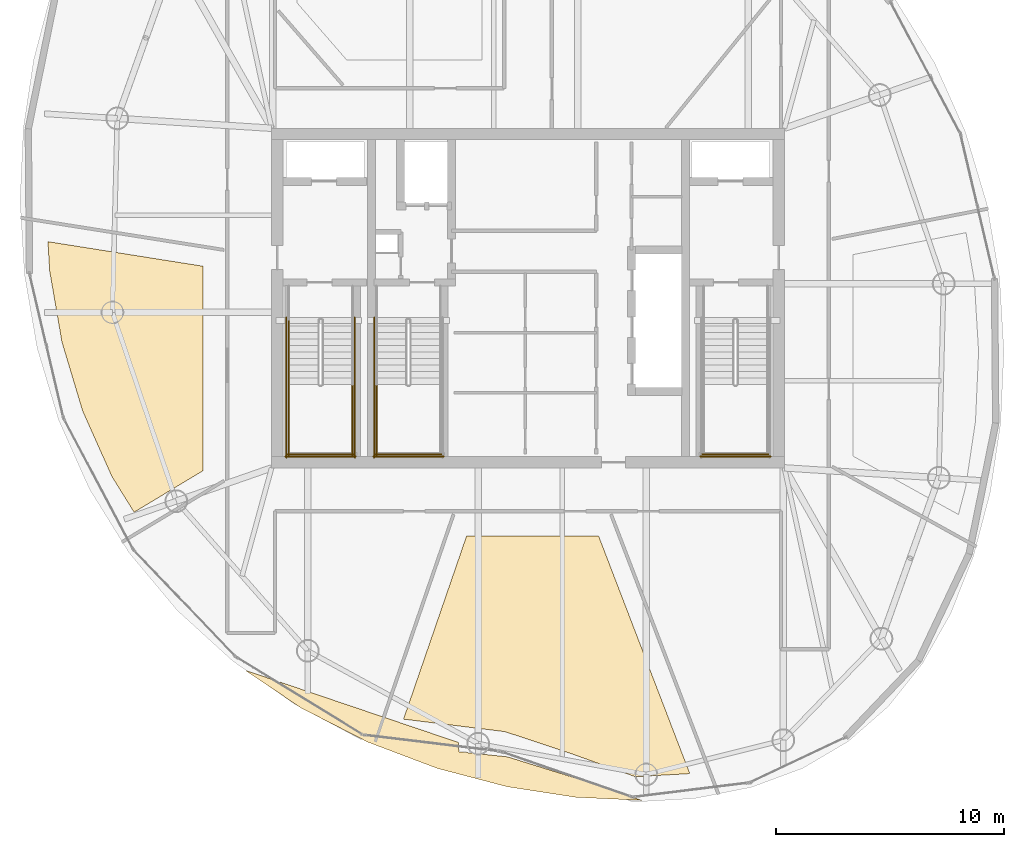
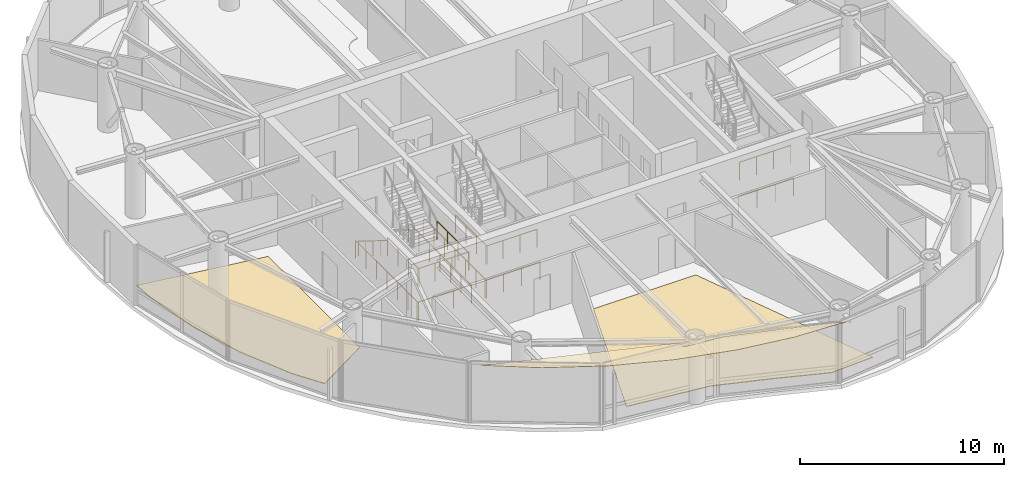
# One storey, part 19 of 21: 13 railings, 3 coverings.
"""IFC4 building model written with IfcOpenShell, lengths in metres."""

from ifc_helpers import new_model, si_unit, direction, frame, origin, origin_2d, place, context, subcontext, project, spatial, polyline, circle, outline, extrude, material, layer, layer_set, type_object, element, save


model = new_model("IFC4")

# Units and contexts
model_context = context("Model", 3, precision=1e-05, world=origin(), true_north=direction((0.0, 1.0)))
body_context = subcontext(model_context, "Body", "Model", "MODEL_VIEW")
ifc_project = project(units=[si_unit("LENGTHUNIT", "METRE"), si_unit("AREAUNIT", "SQUARE_METRE"), si_unit("VOLUMEUNIT", "CUBIC_METRE"), si_unit("PLANEANGLEUNIT", "RADIAN"), si_unit("MASSUNIT", "GRAM", prefix="KILO")], contexts=[model_context])

# Site, building, storey
site_placement = place(None, origin())
site = spatial("IfcSite", under=ifc_project, at=site_placement, CompositionType="ELEMENT")
building_placement = place(site_placement, origin())
building = spatial("IfcBuilding", under=site, at=building_placement, Name="Bramvorn Convention Spire", CompositionType="ELEMENT")
storey_placement = place(building_placement, frame((0.0, 0.0, 249.75)))
storey = spatial("IfcBuildingStorey", under=building, at=storey_placement, Name="L63", CompositionType="ELEMENT", Elevation=249.75)

# Coverings
ifc_material_1 = material(Name="Champagne Bronze Aluminium Composite Soffit", Category="aluminium")
ifc_layer_1 = layer(ifc_material_1, 0.02490234375)
ifc_layer_set_1 = layer_set([ifc_layer_1], Name="Champagne Bronze Aluminium Composite Soffit - COV-CLAD-SOFFIT-25")
covering_type_1 = type_object("IfcCoveringType", Name="COV-CLAD-SOFFIT-25", PredefinedType="CLADDING", material=ifc_layer_set_1)
covering_1_placement = place(storey_placement, frame((0.0, 0.0, 3.60009765625)))
element("IfcCovering", 1, at=covering_1_placement, inside=storey, type_object=covering_type_1, Name="L62 double-height Sky Garden bronze soffit", PredefinedType="CLADDING", context=body_context, shape_type="SweptSolid", body=[
    extrude(outline(polyline([(37.083984375, 4.56005859375), (40.091796875, 4.095703125), (42.974609375, 3.965087890625), (39.98388671875, 4.97265625), (37.095703125, 5.87158203125), (34.96240234375, 6.093505859375), (34.95556640625, 6.5), (25.5927734375, 9.668212890625), (28.05078125, 8.01220703125), (30.98193359375, 6.512939453125), (34.02099609375, 5.363525390625), (37.083984375, 4.56005859375)])), origin(), (0.0, 0.0, 1.0), 0.02490234375),
])
ifc_material_2 = material(Name="Calcium-Sulphate Raised Access Office Floor", Category="steel")
ifc_layer_2 = layer(ifc_material_2, 0.044921875)
ifc_layer_set_2 = layer_set([ifc_layer_2], Name="Calcium-Sulphate Raised Access Office Floor - FLR-RAISED-45")
covering_type_2 = type_object("IfcCoveringType", Name="FLR-RAISED-45", PredefinedType="FLOORING", material=ifc_layer_set_2)
covering_2_placement = place(storey_placement, origin())
element("IfcCovering", 2, at=covering_2_placement, inside=storey, type_object=covering_type_2, Name="L63 Open-Plan Team Office 6 raised floor finish", PredefinedType="FLOORING", context=body_context, shape_type="SweptSolid", body=[
    extrude(outline(polyline([(19.746337890625, 18.16357421875), (20.715087890625, 16.605712890625), (23.75, 18.429443359375), (23.75, 27.396484375), (16.93505859375, 28.475830078125), (17.0126953125, 27.18798828125), (17.55078125, 24.075927734375), (18.458984375, 21.04443359375), (19.746337890625, 18.16357421875)])), origin(), (0.0, 0.0, 1.0), 0.044921875),
])
covering_3_placement = place(storey_placement, origin())
element("IfcCovering", 3, at=covering_3_placement, inside=storey, type_object=covering_type_2, Name="L63 Records Store 8 raised floor finish", PredefinedType="FLOORING", context=body_context, shape_type="SweptSolid", body=[
    extrude(outline(polyline([(45.09912109375, 5.134521484375), (41.100830078125, 15.550048828125), (35.30078125, 15.550048828125), (32.537353515625, 7.5244140625), (36.989501953125, 6.975341796875), (39.907470703125, 6.00732421875), (42.703125, 4.999755859375), (45.09912109375, 5.134521484375)])), origin(), (0.0, 0.0, 1.0), 0.044921875),
])

# Railings
ifc_material_3 = material(Name="Painted Steel Balustrade & Guardrail", Category="steel")
railing_type_1 = type_object("IfcRailingType", Name="RL-STAIR-GUARD-1100", PredefinedType="GUARDRAIL", material=ifc_material_3)
for number, where, name in (
    (4, (27.5, 22.199951171875, 1.925048828125), "L63 ST1 stair guard 3"),
    (5, (30.300048828125, 22.199951171875, 1.925048828125), "L63 ST1 stair guard 4"),
):
    element("IfcRailing", number, at=place(storey_placement, frame(where)), inside=storey, type_object=railing_type_1, Name=name, PredefinedType="GUARDRAIL", context=body_context, shape_type="SweptSolid", body=[
        extrude(circle(Radius=0.02392578125, at=origin_2d()), frame((0.0, 0.0, 1.076171875), z_axis=(0.0, -1.0, 0.0), x_axis=(1.0, 0.0, 0.0)), (0.0, 0.0, 1.0), 3.099853515625),
        extrude(circle(Radius=0.02099609375, at=origin_2d()), origin(), (0.0, 0.0, 1.0), 1.052001953125),
        extrude(circle(Radius=0.02099609375, at=origin_2d()), frame((0.0, -1.033203125, 0.0)), (0.0, 0.0, 1.0), 1.052001953125),
        extrude(circle(Radius=0.02099609375, at=origin_2d()), frame((0.0, -2.066650390625, 0.0)), (0.0, 0.0, 1.0), 1.052001953125),
        extrude(circle(Radius=0.02099609375, at=origin_2d()), frame((0.0, -3.099853515625, 0.0)), (0.0, 0.0, 1.0), 1.052001953125),
    ])
railing_1_placement = place(storey_placement, frame((27.449951171875, 19.14990234375, 1.925048828125)))
element("IfcRailing", 6, at=railing_1_placement, inside=storey, type_object=railing_type_1, Name="L63 ST1 stair guard 5", PredefinedType="GUARDRAIL", context=body_context, shape_type="SweptSolid", body=[
    extrude(circle(Radius=0.02392578125, at=origin_2d()), frame((0.0, 0.0, 1.076171875), z_axis=(1.0, 0.0, 0.0), x_axis=(0.0, 1.0, 0.0)), (0.0, 0.0, 1.0), 2.900146484375),
    extrude(circle(Radius=0.02099609375, at=origin_2d()), origin(), (0.0, 0.0, 1.0), 1.052001953125),
    extrude(circle(Radius=0.02099609375, at=origin_2d()), frame((0.966796875, 0.0, 0.0)), (0.0, 0.0, 1.0), 1.052001953125),
    extrude(circle(Radius=0.02099609375, at=origin_2d()), frame((1.933349609375, 0.0, 0.0)), (0.0, 0.0, 1.0), 1.052001953125),
    extrude(circle(Radius=0.02099609375, at=origin_2d()), frame((2.900146484375, 0.0, 0.0)), (0.0, 0.0, 1.0), 1.052001953125),
])
for number, where, name in (
    (7, (27.39990234375, 25.14990234375, 0.0), "L63 ST1 stair guard 10"),
    (8, (30.39990234375, 25.14990234375, 0.0), "L63 ST1 stair guard 11"),
):
    element("IfcRailing", number, at=place(storey_placement, frame(where)), inside=storey, type_object=railing_type_1, Name=name, PredefinedType="GUARDRAIL", context=body_context, shape_type="SweptSolid", body=[
        extrude(circle(Radius=0.02392578125, at=origin_2d()), frame((0.0, 0.0, 1.076171875), z_axis=(0.0, -1.0, 0.0), x_axis=(1.0, 0.0, 0.0)), (0.0, 0.0, 1.0), 6.14990234375),
        extrude(circle(Radius=0.02099609375, at=origin_2d()), origin(), (0.0, 0.0, 1.0), 1.052001953125),
        extrude(circle(Radius=0.02099609375, at=origin_2d()), frame((0.0, -1.02490234375, 0.0)), (0.0, 0.0, 1.0), 1.052001953125),
        extrude(circle(Radius=0.02099609375, at=origin_2d()), frame((0.0, -2.050048828125, 0.0)), (0.0, 0.0, 1.0), 1.052001953125),
        extrude(circle(Radius=0.02099609375, at=origin_2d()), frame((0.0, -3.074951171875, 0.0)), (0.0, 0.0, 1.0), 1.052001953125),
        extrude(circle(Radius=0.02099609375, at=origin_2d()), frame((0.0, -4.099853515625, 0.0)), (0.0, 0.0, 1.0), 1.052001953125),
        extrude(circle(Radius=0.02099609375, at=origin_2d()), frame((0.0, -5.125, 0.0)), (0.0, 0.0, 1.0), 1.052001953125),
        extrude(circle(Radius=0.02099609375, at=origin_2d()), frame((0.0, -6.14990234375, 0.0)), (0.0, 0.0, 1.0), 1.052001953125),
    ])
railing_2_placement = place(storey_placement, frame((27.35009765625, 19.050048828125, 0.0)))
element("IfcRailing", 9, at=railing_2_placement, inside=storey, type_object=railing_type_1, Name="L63 ST1 stair guard 12", PredefinedType="GUARDRAIL", context=body_context, shape_type="SweptSolid", body=[
    extrude(circle(Radius=0.02392578125, at=origin_2d()), frame((0.0, 0.0, 1.076171875), z_axis=(1.0, 0.0, 0.0), x_axis=(0.0, 1.0, 0.0)), (0.0, 0.0, 1.0), 3.099853515625),
    extrude(circle(Radius=0.02099609375, at=origin_2d()), origin(), (0.0, 0.0, 1.0), 1.052001953125),
    extrude(circle(Radius=0.02099609375, at=origin_2d()), frame((1.033203125, 0.0, 0.0)), (0.0, 0.0, 1.0), 1.052001953125),
    extrude(circle(Radius=0.02099609375, at=origin_2d()), frame((2.066650390625, 0.0, 0.0)), (0.0, 0.0, 1.0), 1.052001953125),
    extrude(circle(Radius=0.02099609375, at=origin_2d()), frame((3.099853515625, 0.0, 0.0)), (0.0, 0.0, 1.0), 1.052001953125),
])
railing_3_placement = place(storey_placement, frame((45.64990234375, 19.14990234375, 1.925048828125)))
element("IfcRailing", 10, at=railing_3_placement, inside=storey, type_object=railing_type_1, Name="L63 ST2 stair guard 5", PredefinedType="GUARDRAIL", context=body_context, shape_type="SweptSolid", body=[
    extrude(circle(Radius=0.02392578125, at=origin_2d()), frame((0.0, 0.0, 1.076171875), z_axis=(1.0, 0.0, 0.0), x_axis=(0.0, 1.0, 0.0)), (0.0, 0.0, 1.0), 2.900146484375),
    extrude(circle(Radius=0.02099609375, at=origin_2d()), origin(), (0.0, 0.0, 1.0), 1.052001953125),
    extrude(circle(Radius=0.02099609375, at=origin_2d()), frame((0.966796875, 0.0, 0.0)), (0.0, 0.0, 1.0), 1.052001953125),
    extrude(circle(Radius=0.02099609375, at=origin_2d()), frame((1.933349609375, 0.0, 0.0)), (0.0, 0.0, 1.0), 1.052001953125),
    extrude(circle(Radius=0.02099609375, at=origin_2d()), frame((2.900146484375, 0.0, 0.0)), (0.0, 0.0, 1.0), 1.052001953125),
])
railing_4_placement = place(storey_placement, frame((45.550048828125, 19.050048828125, 0.0)))
element("IfcRailing", 11, at=railing_4_placement, inside=storey, type_object=railing_type_1, Name="L63 ST2 stair guard 12", PredefinedType="GUARDRAIL", context=body_context, shape_type="SweptSolid", body=[
    extrude(circle(Radius=0.02392578125, at=origin_2d()), frame((0.0, 0.0, 1.076171875), z_axis=(1.0, 0.0, 0.0), x_axis=(0.0, 1.0, 0.0)), (0.0, 0.0, 1.0), 3.099853515625),
    extrude(circle(Radius=0.02099609375, at=origin_2d()), origin(), (0.0, 0.0, 1.0), 1.052001953125),
    extrude(circle(Radius=0.02099609375, at=origin_2d()), frame((1.033203125, 0.0, 0.0)), (0.0, 0.0, 1.0), 1.052001953125),
    extrude(circle(Radius=0.02099609375, at=origin_2d()), frame((2.066650390625, 0.0, 0.0)), (0.0, 0.0, 1.0), 1.052001953125),
    extrude(circle(Radius=0.02099609375, at=origin_2d()), frame((3.099853515625, 0.0, 0.0)), (0.0, 0.0, 1.0), 1.052001953125),
])
railing_5_placement = place(storey_placement, frame((31.35009765625, 22.199951171875, 1.925048828125)))
element("IfcRailing", 12, at=railing_5_placement, inside=storey, type_object=railing_type_1, Name="L63 ST3 stair guard 3", PredefinedType="GUARDRAIL", context=body_context, shape_type="SweptSolid", body=[
    extrude(circle(Radius=0.02392578125, at=origin_2d()), frame((0.0, 0.0, 1.076171875), z_axis=(0.0, -1.0, 0.0), x_axis=(1.0, 0.0, 0.0)), (0.0, 0.0, 1.0), 3.099853515625),
    extrude(circle(Radius=0.02099609375, at=origin_2d()), origin(), (0.0, 0.0, 1.0), 1.052001953125),
    extrude(circle(Radius=0.02099609375, at=origin_2d()), frame((0.0, -1.033203125, 0.0)), (0.0, 0.0, 1.0), 1.052001953125),
    extrude(circle(Radius=0.02099609375, at=origin_2d()), frame((0.0, -2.066650390625, 0.0)), (0.0, 0.0, 1.0), 1.052001953125),
    extrude(circle(Radius=0.02099609375, at=origin_2d()), frame((0.0, -3.099853515625, 0.0)), (0.0, 0.0, 1.0), 1.052001953125),
])
railing_6_placement = place(storey_placement, frame((31.300048828125, 19.14990234375, 1.925048828125)))
element("IfcRailing", 13, at=railing_6_placement, inside=storey, type_object=railing_type_1, Name="L63 ST3 stair guard 5", PredefinedType="GUARDRAIL", context=body_context, shape_type="SweptSolid", body=[
    extrude(circle(Radius=0.02392578125, at=origin_2d()), frame((0.0, 0.0, 1.076171875), z_axis=(1.0, 0.0, 0.0), x_axis=(0.0, 1.0, 0.0)), (0.0, 0.0, 1.0), 2.89990234375),
    extrude(circle(Radius=0.02099609375, at=origin_2d()), origin(), (0.0, 0.0, 1.0), 1.052001953125),
    extrude(circle(Radius=0.02099609375, at=origin_2d()), frame((0.966552734375, 0.0, 0.0)), (0.0, 0.0, 1.0), 1.052001953125),
    extrude(circle(Radius=0.02099609375, at=origin_2d()), frame((1.933349609375, 0.0, 0.0)), (0.0, 0.0, 1.0), 1.052001953125),
    extrude(circle(Radius=0.02099609375, at=origin_2d()), frame((2.89990234375, 0.0, 0.0)), (0.0, 0.0, 1.0), 1.052001953125),
])
railing_7_placement = place(storey_placement, frame((31.25, 25.14990234375, 0.0)))
element("IfcRailing", 14, at=railing_7_placement, inside=storey, type_object=railing_type_1, Name="L63 ST3 stair guard 10", PredefinedType="GUARDRAIL", context=body_context, shape_type="SweptSolid", body=[
    extrude(circle(Radius=0.02392578125, at=origin_2d()), frame((0.0, 0.0, 1.076171875), z_axis=(0.0, -1.0, 0.0), x_axis=(1.0, 0.0, 0.0)), (0.0, 0.0, 1.0), 6.14990234375),
    extrude(circle(Radius=0.02099609375, at=origin_2d()), origin(), (0.0, 0.0, 1.0), 1.052001953125),
    extrude(circle(Radius=0.02099609375, at=origin_2d()), frame((0.0, -1.02490234375, 0.0)), (0.0, 0.0, 1.0), 1.052001953125),
    extrude(circle(Radius=0.02099609375, at=origin_2d()), frame((0.0, -2.050048828125, 0.0)), (0.0, 0.0, 1.0), 1.052001953125),
    extrude(circle(Radius=0.02099609375, at=origin_2d()), frame((0.0, -3.074951171875, 0.0)), (0.0, 0.0, 1.0), 1.052001953125),
    extrude(circle(Radius=0.02099609375, at=origin_2d()), frame((0.0, -4.099853515625, 0.0)), (0.0, 0.0, 1.0), 1.052001953125),
    extrude(circle(Radius=0.02099609375, at=origin_2d()), frame((0.0, -5.125, 0.0)), (0.0, 0.0, 1.0), 1.052001953125),
    extrude(circle(Radius=0.02099609375, at=origin_2d()), frame((0.0, -6.14990234375, 0.0)), (0.0, 0.0, 1.0), 1.052001953125),
])
railing_8_placement = place(storey_placement, frame((31.199951171875, 19.050048828125, 0.0)))
element("IfcRailing", 15, at=railing_8_placement, inside=storey, type_object=railing_type_1, Name="L63 ST3 stair guard 12", PredefinedType="GUARDRAIL", context=body_context, shape_type="SweptSolid", body=[
    extrude(circle(Radius=0.02392578125, at=origin_2d()), frame((0.0, 0.0, 1.076171875), z_axis=(1.0, 0.0, 0.0), x_axis=(0.0, 1.0, 0.0)), (0.0, 0.0, 1.0), 3.10009765625),
    extrude(circle(Radius=0.02099609375, at=origin_2d()), origin(), (0.0, 0.0, 1.0), 1.052001953125),
    extrude(circle(Radius=0.02099609375, at=origin_2d()), frame((1.033447265625, 0.0, 0.0)), (0.0, 0.0, 1.0), 1.052001953125),
    extrude(circle(Radius=0.02099609375, at=origin_2d()), frame((2.066650390625, 0.0, 0.0)), (0.0, 0.0, 1.0), 1.052001953125),
    extrude(circle(Radius=0.02099609375, at=origin_2d()), frame((3.10009765625, 0.0, 0.0)), (0.0, 0.0, 1.0), 1.052001953125),
])
ifc_material_4 = material(Name="Brushed Bronze Tubular Handrail", Category="aluminium")
railing_type_2 = type_object("IfcRailingType", Name="RL-STAIR-HR-920", PredefinedType="HANDRAIL", material=ifc_material_4)
railing_9_placement = place(storey_placement, frame((27.5, 25.050048828125, 0.175048828125)))
element("IfcRailing", 16, at=railing_9_placement, inside=storey, type_object=railing_type_2, Name="L63 ST1 stair handrail 1", PredefinedType="HANDRAIL", context=body_context, shape_type="SweptSolid", body=[
    extrude(circle(Radius=0.02392578125, at=origin_2d()), frame((0.0, 0.0, 0.89599609375), z_axis=(0.0, -0.852179220489, 0.52325001306), x_axis=(1.0, 0.0, 0.0)), (0.0, 0.0, 1.0), 3.344482421875),
    extrude(circle(Radius=0.02099609375, at=origin_2d()), origin(), (0.0, 0.0, 1.0), 0.871826171875),
    extrude(circle(Radius=0.02099609375, at=origin_2d()), frame((0.0, -0.71240234375, 0.4375)), (0.0, 0.0, 1.0), 0.871826171875),
    extrude(circle(Radius=0.02099609375, at=origin_2d()), frame((0.0, -1.425048828125, 0.875)), (0.0, 0.0, 1.0), 0.871826171875),
    extrude(circle(Radius=0.02099609375, at=origin_2d()), frame((0.0, -2.1376953125, 1.3125)), (0.0, 0.0, 1.0), 0.871826171875),
    extrude(circle(Radius=0.02099609375, at=origin_2d()), frame((0.0, -2.85009765625, 1.75)), (0.0, 0.0, 1.0), 0.871826171875),
])

save(model, "model.ifc")
